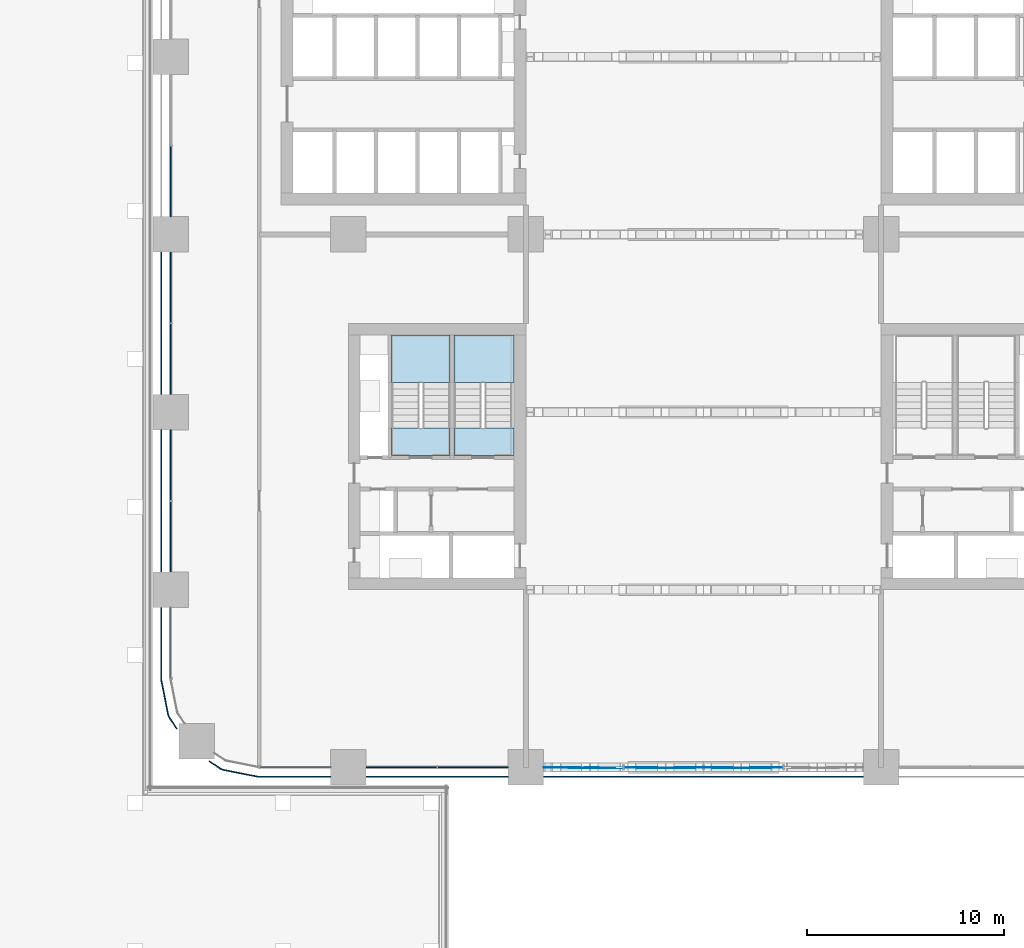
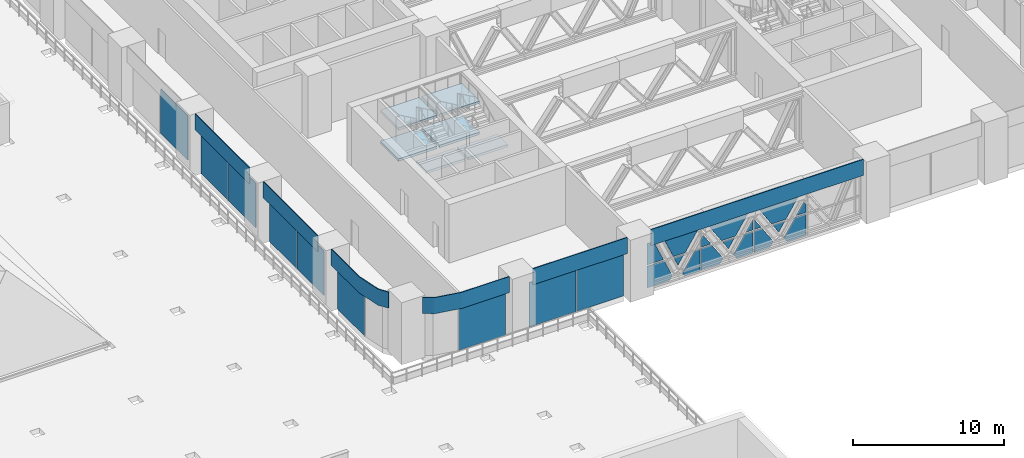
# One storey, part 13 of 35: 32 plates, 6 slabs, 9 elements without a shape of their own.
"""IFC4 building model written with IfcOpenShell, lengths in metres."""

from ifc_helpers import new_model, si_unit, direction, frame, origin, origin_2d, place, context, subcontext, project, spatial, polyline, rectangle, outline, extrude, material, layer, layer_set, type_object, element, aggregate, save


model = new_model("IFC4")

# Units and contexts
model_context = context("Model", 3, precision=1e-05, world=origin(), true_north=direction((0.0, 1.0)))
body_context = subcontext(model_context, "Body", "Model", "MODEL_VIEW")
ifc_project = project(units=[si_unit("LENGTHUNIT", "METRE"), si_unit("AREAUNIT", "SQUARE_METRE"), si_unit("VOLUMEUNIT", "CUBIC_METRE"), si_unit("PLANEANGLEUNIT", "RADIAN"), si_unit("MASSUNIT", "GRAM", prefix="KILO")], contexts=[model_context])

# Site, building, storey
site_placement = place(None, origin())
site = spatial("IfcSite", under=ifc_project, at=site_placement, CompositionType="ELEMENT")
building_placement = place(site_placement, origin())
building = spatial("IfcBuilding", under=site, at=building_placement, Name="Tessera Arch", CompositionType="ELEMENT")
storey_placement = place(building_placement, frame((0.0, 0.0, 26.0)))
storey = spatial("IfcBuildingStorey", under=building, at=storey_placement, Name="L04", CompositionType="ELEMENT", Elevation=26.0)

# Curtain wall, plates
ifc_material_1 = material(Name="CW4 curtain wall")
curtain_wall_type_1 = type_object("IfcCurtainWallType", Name="CW4 curtain wall", PredefinedType="NOTDEFINED", material=ifc_material_1)
curtain_wall_1_placement = place(storey_placement, origin())
curtain_wall_1 = element("IfcCurtainWall", 1, at=curtain_wall_1_placement, inside=storey, type_object=curtain_wall_type_1, Name="CW4 curtain wall S0.0/1 L04", PredefinedType="NOTDEFINED")
ifc_material_2 = material(Name="Clear low-e glass", Category="glass")
ifc_layer_1 = layer(ifc_material_2, 0.028076171875)
ifc_layer_set_1 = layer_set([ifc_layer_1], Name="CW4 glass panel")
plate_type_1 = type_object("IfcPlateType", Name="CW4 glass panel", PredefinedType="CURTAIN_PANEL", material=ifc_layer_set_1)
plate_1_placement = place(storey_placement, frame((18.89990234375, -0.013916015625, 0.0), z_axis=(0.0, -1.0, 0.0), x_axis=(1.0, 0.0, 0.0)))
plate_1 = element("IfcPlate", 2, at=plate_1_placement, type_object=plate_type_1, Name="CW4 fitted glass panel S0.0/1 1", PredefinedType="CURTAIN_PANEL", context=body_context, shape_type="SweptSolid", body=[
    extrude(outline(polyline([(0.0, 0.0), (1.706787109375, 0.0), (1.9150390625, 0.326171875), (1.297607421875, 1.72998046875), (0.0, 1.72998046875), (0.0, 0.0)])), origin(), (0.0, 0.0, -1.0), 0.028076171875),
])
plate_2_placement = place(storey_placement, frame((21.711181640625, -0.013916015625, 1.72998046875), z_axis=(0.0, -1.0, 0.0), x_axis=(-1.0, 0.0, 0.0)))
plate_2 = element("IfcPlate", 3, at=plate_2_placement, type_object=plate_type_1, Name="CW4 fitted glass panel S0.0/1 2", PredefinedType="CURTAIN_PANEL", context=body_context, shape_type="SweptSolid", body=[
    extrude(outline(polyline([(0.0, 0.0), (0.7783203125, 0.0), (0.4609375, 0.721923828125), (0.0, 0.0)])), origin(), (0.0, 0.0, -1.0), 0.028076171875),
])
plate_3_placement = place(storey_placement, frame((22.909912109375, -0.0419921875, 1.72998046875), z_axis=(0.0, -1.0, 0.0), x_axis=(-1.0, 0.0, 0.0)))
plate_3 = element("IfcPlate", 4, at=plate_3_placement, type_object=plate_type_1, Name="CW4 fitted glass panel S0.0/1 3", PredefinedType="CURTAIN_PANEL", context=body_context, shape_type="SweptSolid", body=[
    extrude(outline(polyline([(0.0, 0.0), (0.400146484375, 0.0), (1.333984375, 1.462646484375), (1.21630859375, 1.72998046875), (0.0, 1.72998046875), (0.0, 0.0)])), origin(), (0.0, 0.0, -1.0), 0.028076171875),
])
plate_4_placement = place(storey_placement, frame((18.89990234375, -0.013916015625, 1.85009765625), z_axis=(0.0, -1.0, 0.0), x_axis=(1.0, 0.0, 0.0)))
plate_4 = element("IfcPlate", 5, at=plate_4_placement, type_object=plate_type_1, Name="CW4 fitted glass panel S0.0/1 4", PredefinedType="CURTAIN_PANEL", context=body_context, shape_type="SweptSolid", body=[
    extrude(outline(polyline([(0.0, 0.0), (1.244873046875, 0.0), (0.484375, 1.72998046875), (0.0, 1.72998046875), (0.0, 0.0)])), origin(), (0.0, 0.0, -1.0), 0.028076171875),
])
plate_5_placement = place(storey_placement, frame((22.643798828125, -0.0419921875, 3.580078125), z_axis=(0.0, -1.0, 0.0), x_axis=(-1.0, 0.0, 0.0)))
plate_5 = element("IfcPlate", 6, at=plate_5_placement, type_object=plate_type_1, Name="CW4 fitted glass panel S0.0/1 5", PredefinedType="CURTAIN_PANEL", context=body_context, shape_type="SweptSolid", body=[
    extrude(outline(polyline([(0.0, 0.0), (2.5244140625, 0.0), (1.763671875, 1.72998046875), (0.85595703125, 1.72998046875), (-0.124267578125, 0.194580078125), (0.0, 0.0)])), origin(), (0.0, 0.0, -1.0), 0.028076171875),
])
plate_6_placement = place(storey_placement, frame((22.989990234375, -0.013916015625, 0.0), z_axis=(0.0, -1.0, 0.0), x_axis=(1.0, 0.0, 0.0)))
plate_6 = element("IfcPlate", 7, at=plate_6_placement, type_object=plate_type_1, Name="CW4 fitted glass panel S0.0/1 7", PredefinedType="CURTAIN_PANEL", context=body_context, shape_type="SweptSolid", body=[
    extrude(outline(polyline([(0.0, 0.0), (1.449462890625, 0.0), (1.6943359375, 0.383544921875), (0.834716796875, 1.72998046875), (0.0, 1.72998046875), (0.0, 0.0)])), origin(), (0.0, 0.0, -1.0), 0.028076171875),
])
plate_7_placement = place(storey_placement, frame((25.5439453125, -0.0419921875, 1.72998046875), z_axis=(0.0, -1.0, 0.0), x_axis=(-1.0, 0.0, 0.0)))
plate_7 = element("IfcPlate", 8, at=plate_7_placement, type_object=plate_type_1, Name="CW4 fitted glass panel S0.0/1 8", PredefinedType="CURTAIN_PANEL", context=body_context, shape_type="SweptSolid", body=[
    extrude(outline(polyline([(0.0, 0.0), (0.920654296875, 0.0), (0.46044921875, 0.720947265625), (0.0, 0.0)])), origin(), (0.0, 0.0, -1.0), 0.028076171875),
])
plate_8_placement = place(storey_placement, frame((26.9599609375, -0.013916015625, 1.72998046875), z_axis=(0.0, -1.0, 0.0), x_axis=(-1.0, 0.0, 0.0)))
plate_8 = element("IfcPlate", 9, at=plate_8_placement, type_object=plate_type_1, Name="CW4 fitted glass panel S0.0/1 9", PredefinedType="CURTAIN_PANEL", context=body_context, shape_type="SweptSolid", body=[
    extrude(outline(polyline([(0.0, 0.0), (0.617431640625, 0.0), (1.47705078125, 1.346435546875), (1.232177734375, 1.72998046875), (0.0, 1.72998046875), (0.0, 0.0)])), origin(), (0.0, 0.0, -1.0), 0.028076171875),
])
plate_9_placement = place(storey_placement, frame((22.989990234375, -0.013916015625, 1.85009765625), z_axis=(0.0, -1.0, 0.0), x_axis=(1.0, 0.0, 0.0)))
plate_9 = element("IfcPlate", 10, at=plate_9_placement, type_object=plate_type_1, Name="CW4 fitted glass panel S0.0/1 10", PredefinedType="CURTAIN_PANEL", context=body_context, shape_type="SweptSolid", body=[
    extrude(outline(polyline([(0.0, 0.0), (0.758056640625, 0.0), (0.17724609375, 0.909912109375), (0.0, 0.63232421875), (0.0, 0.0)])), origin(), (0.0, 0.0, -1.0), 0.028076171875),
])
plate_10_placement = place(storey_placement, frame((26.4765625, -0.0419921875, 3.580078125), z_axis=(0.0, -1.0, 0.0), x_axis=(-1.0, 0.0, 0.0)))
plate_10 = element("IfcPlate", 11, at=plate_10_placement, type_object=plate_type_1, Name="CW4 fitted glass panel S0.0/1 11", PredefinedType="CURTAIN_PANEL", context=body_context, shape_type="SweptSolid", body=[
    extrude(outline(polyline([(0.0, 0.0), (2.785888671875, 0.0), (2.91015625, 0.194580078125), (1.929931640625, 1.72998046875), (0.85595703125, 1.72998046875), (-0.124267578125, 0.194580078125), (0.0, 0.0)])), origin(), (0.0, 0.0, -1.0), 0.028076171875),
])
plate_11_placement = place(storey_placement, frame((26.9599609375, -0.013916015625, 1.85009765625), z_axis=(0.0, -1.0, 0.0), x_axis=(0.0, 0.0, 1.0)))
plate_11 = element("IfcPlate", 12, at=plate_11_placement, type_object=plate_type_1, Name="CW4 fitted glass panel S0.0/1 12", PredefinedType="CURTAIN_PANEL", context=body_context, shape_type="SweptSolid", body=[
    extrude(outline(polyline([(0.0, 0.0), (0.84716796875, 0.0), (0.0, 0.541015625), (0.0, 0.0)])), origin(), (0.0, 0.0, -1.0), 0.028076171875),
])
plate_12_placement = place(storey_placement, frame((27.0400390625, -0.013916015625, 0.0), z_axis=(0.0, -1.0, 0.0), x_axis=(1.0, 0.0, 0.0)))
plate_12 = element("IfcPlate", 13, at=plate_12_placement, type_object=plate_type_1, Name="CW4 fitted glass panel S0.0/1 13", PredefinedType="CURTAIN_PANEL", context=body_context, shape_type="SweptSolid", body=[
    extrude(outline(polyline([(0.0, 0.0), (1.232177734375, 0.0), (1.47705078125, 0.383544921875), (0.617431640625, 1.72998046875), (0.0, 1.72998046875), (0.0, 0.0)])), origin(), (0.0, 0.0, -1.0), 0.028076171875),
])
plate_13_placement = place(storey_placement, frame((29.376708984375, -0.0419921875, 1.72998046875), z_axis=(0.0, -1.0, 0.0), x_axis=(-1.0, 0.0, 0.0)))
plate_13 = element("IfcPlate", 14, at=plate_13_placement, type_object=plate_type_1, Name="CW4 fitted glass panel S0.0/1 14", PredefinedType="CURTAIN_PANEL", context=body_context, shape_type="SweptSolid", body=[
    extrude(outline(polyline([(0.0, 0.0), (0.920654296875, 0.0), (0.460205078125, 0.720947265625), (0.0, 0.0)])), origin(), (0.0, 0.0, -1.0), 0.028076171875),
])
plate_14_placement = place(storey_placement, frame((31.010009765625, -0.013916015625, 1.72998046875), z_axis=(0.0, -1.0, 0.0), x_axis=(-1.0, 0.0, 0.0)))
plate_14 = element("IfcPlate", 15, at=plate_14_placement, type_object=plate_type_1, Name="CW4 fitted glass panel S0.0/1 15", PredefinedType="CURTAIN_PANEL", context=body_context, shape_type="SweptSolid", body=[
    extrude(outline(polyline([(0.0, 0.0), (0.834716796875, 0.0), (1.6943359375, 1.346435546875), (1.449462890625, 1.72998046875), (0.0, 1.72998046875), (0.0, 0.0)])), origin(), (0.0, 0.0, -1.0), 0.028076171875),
])
plate_15_placement = place(storey_placement, frame((27.0400390625, -0.013916015625, 1.85009765625), z_axis=(0.0, -1.0, 0.0), x_axis=(1.0, 0.0, 0.0)))
plate_15 = element("IfcPlate", 16, at=plate_15_placement, type_object=plate_type_1, Name="CW4 fitted glass panel S0.0/1 16", PredefinedType="CURTAIN_PANEL", context=body_context, shape_type="SweptSolid", body=[
    extrude(outline(polyline([(0.0, 0.0), (0.541015625, 0.0), (0.0, 0.84716796875), (0.0, 0.0)])), origin(), (0.0, 0.0, -1.0), 0.028076171875),
])
plate_16_placement = place(storey_placement, frame((30.309326171875, -0.0419921875, 3.580078125), z_axis=(0.0, -1.0, 0.0), x_axis=(-1.0, 0.0, 0.0)))
plate_16 = element("IfcPlate", 17, at=plate_16_placement, type_object=plate_type_1, Name="CW4 fitted glass panel S0.0/1 17", PredefinedType="CURTAIN_PANEL", context=body_context, shape_type="SweptSolid", body=[
    extrude(outline(polyline([(0.0, 0.0), (2.785888671875, 0.0), (2.91015625, 0.194580078125), (1.929931640625, 1.72998046875), (0.85595703125, 1.72998046875), (-0.124267578125, 0.194580078125), (0.0, 0.0)])), origin(), (0.0, 0.0, -1.0), 0.028076171875),
])
plate_17_placement = place(storey_placement, frame((31.010009765625, -0.013916015625, 1.85009765625), z_axis=(0.0, -1.0, 0.0), x_axis=(0.0, 0.0, 1.0)))
plate_17 = element("IfcPlate", 18, at=plate_17_placement, type_object=plate_type_1, Name="CW4 fitted glass panel S0.0/1 18", PredefinedType="CURTAIN_PANEL", context=body_context, shape_type="SweptSolid", body=[
    extrude(outline(polyline([(0.0, 0.0), (0.63232421875, 0.0), (0.909912109375, 0.17724609375), (0.0, 0.758056640625), (0.0, 0.0)])), origin(), (0.0, 0.0, -1.0), 0.028076171875),
])
ifc_material_3 = material(Name="Pale anodised aluminium panel", Category="aluminium")
ifc_layer_2 = layer(ifc_material_3, 0.06005859375)
ifc_layer_set_2 = layer_set([ifc_layer_2], Name="CW4 spandrel panel")
plate_type_2 = type_object("IfcPlateType", Name="CW4 spandrel panel", PredefinedType="CURTAIN_PANEL", material=ifc_layer_set_2)
plate_18_placement = place(storey_placement, frame((27.0, -0.47998046875, 3.7001953125), z_axis=(0.0, 0.0, 1.0), x_axis=(1.0, 0.0, 0.0)))
plate_18 = element("IfcPlate", 19, at=plate_18_placement, type_object=plate_type_2, Name="CW4 spandrel panel S0.0/1", PredefinedType="CURTAIN_PANEL", context=body_context, shape_type="SweptSolid", body=[
    extrude(rectangle(XDim=16.199951171875, YDim=0.06005859375, at=origin_2d()), origin(), (0.0, 0.0, 1.0), 1.300048828125),
])
aggregate(curtain_wall_1, [plate_1, plate_2, plate_3, plate_4, plate_5, plate_6, plate_7, plate_8, plate_9, plate_10, plate_11, plate_12, plate_13, plate_14, plate_15, plate_16, plate_17, plate_18])

ifc_material_4 = material(Name="CW7 curtain wall")
curtain_wall_type_2 = type_object("IfcCurtainWallType", Name="CW7 curtain wall", PredefinedType="NOTDEFINED", material=ifc_material_4)
curtain_wall_2_placement = place(storey_placement, origin())
curtain_wall_2 = element("IfcCurtainWall", 20, at=curtain_wall_2_placement, inside=storey, type_object=curtain_wall_type_2, Name="CW7 curtain wall S0.0/0 L04", PredefinedType="NOTDEFINED")
ifc_material_5 = material(Name="Pale anodised aluminium panel", Category="aluminium")
ifc_layer_3 = layer(ifc_material_5, 0.06005859375)
ifc_layer_set_3 = layer_set([ifc_layer_3], Name="CW7 plant wall panel")
plate_type_3 = type_object("IfcPlateType", Name="CW7 plant wall panel", PredefinedType="CURTAIN_PANEL", material=ifc_layer_set_3)
plate_19_placement = place(storey_placement, frame((11.68505859375, 0.0, 0.0), z_axis=(0.0, 0.0, 1.0), x_axis=(1.0, 0.0, 0.0)))
plate_19 = element("IfcPlate", 21, at=plate_19_placement, type_object=plate_type_3, Name="CW7 plant wall panel S0.0/0 1.1.1", PredefinedType="CURTAIN_PANEL", context=body_context, shape_type="SweptSolid", body=[
    extrude(rectangle(XDim=3.570068359375, YDim=0.06005859375, at=origin_2d()), origin(), (0.0, 0.0, 1.0), 3.580078125),
])
plate_20_placement = place(storey_placement, frame((15.31494140625, 0.0, 0.0), z_axis=(0.0, 0.0, 1.0), x_axis=(1.0, 0.0, 0.0)))
plate_20 = element("IfcPlate", 22, at=plate_20_placement, type_object=plate_type_3, Name="CW7 plant wall panel S0.0/0 1.2.1", PredefinedType="CURTAIN_PANEL", context=body_context, shape_type="SweptSolid", body=[
    extrude(rectangle(XDim=3.570068359375, YDim=0.06005859375, at=origin_2d()), origin(), (0.0, 0.0, 1.0), 3.580078125),
])

# Curtain wall, plate
curtain_wall_3_placement = place(storey_placement, origin())
curtain_wall_3 = element("IfcCurtainWall", 23, at=curtain_wall_3_placement, inside=storey, type_object=curtain_wall_type_2, Name="CW7 curtain wall W0.0/2 L04", PredefinedType="NOTDEFINED")
plate_21_placement = place(storey_placement, frame((0.0, 29.68505859375, 0.0), z_axis=(0.0, 0.0, 1.0), x_axis=(0.0, -1.0, 0.0)))
plate_21 = element("IfcPlate", 24, at=plate_21_placement, type_object=plate_type_3, Name="CW7 plant wall panel W0.0/2 1.2.1", PredefinedType="CURTAIN_PANEL", context=body_context, shape_type="SweptSolid", body=[
    extrude(rectangle(XDim=3.570068359375, YDim=0.06005859375, at=origin_2d()), origin(), (0.0, 0.0, 1.0), 3.580078125),
])
aggregate(curtain_wall_3, [plate_21])

# Curtain wall, plates
curtain_wall_4_placement = place(storey_placement, origin())
curtain_wall_4 = element("IfcCurtainWall", 25, at=curtain_wall_4_placement, inside=storey, type_object=curtain_wall_type_2, Name="CW7 curtain wall W0.0/3 L04", PredefinedType="NOTDEFINED")
plate_22_placement = place(storey_placement, frame((0.0, 24.31494140625, 0.0), z_axis=(0.0, 0.0, 1.0), x_axis=(0.0, -1.0, 0.0)))
plate_22 = element("IfcPlate", 26, at=plate_22_placement, type_object=plate_type_3, Name="CW7 plant wall panel W0.0/3 1.1.1", PredefinedType="CURTAIN_PANEL", context=body_context, shape_type="SweptSolid", body=[
    extrude(rectangle(XDim=3.570068359375, YDim=0.06005859375, at=origin_2d()), origin(), (0.0, 0.0, 1.0), 3.580078125),
])
plate_23_placement = place(storey_placement, frame((0.0, 20.68505859375, 0.0), z_axis=(0.0, 0.0, 1.0), x_axis=(0.0, -1.0, 0.0)))
plate_23 = element("IfcPlate", 27, at=plate_23_placement, type_object=plate_type_3, Name="CW7 plant wall panel W0.0/3 1.2.1", PredefinedType="CURTAIN_PANEL", context=body_context, shape_type="SweptSolid", body=[
    extrude(rectangle(XDim=3.570068359375, YDim=0.06005859375, at=origin_2d()), origin(), (0.0, 0.0, 1.0), 3.580078125),
])

curtain_wall_5_placement = place(storey_placement, origin())
curtain_wall_5 = element("IfcCurtainWall", 28, at=curtain_wall_5_placement, inside=storey, type_object=curtain_wall_type_2, Name="CW7 curtain wall W0.0/4 L04", PredefinedType="NOTDEFINED")
plate_24_placement = place(storey_placement, frame((0.0, 15.31494140625, 0.0), z_axis=(0.0, 0.0, 1.0), x_axis=(0.0, -1.0, 0.0)))
plate_24 = element("IfcPlate", 29, at=plate_24_placement, type_object=plate_type_3, Name="CW7 plant wall panel W0.0/4 1.1.1", PredefinedType="CURTAIN_PANEL", context=body_context, shape_type="SweptSolid", body=[
    extrude(rectangle(XDim=3.570068359375, YDim=0.06005859375, at=origin_2d()), origin(), (0.0, 0.0, 1.0), 3.580078125),
])
plate_25_placement = place(storey_placement, frame((0.0, 11.68505859375, 0.0), z_axis=(0.0, 0.0, 1.0), x_axis=(0.0, -1.0, 0.0)))
plate_25 = element("IfcPlate", 30, at=plate_25_placement, type_object=plate_type_3, Name="CW7 plant wall panel W0.0/4 1.2.1", PredefinedType="CURTAIN_PANEL", context=body_context, shape_type="SweptSolid", body=[
    extrude(rectangle(XDim=3.570068359375, YDim=0.06005859375, at=origin_2d()), origin(), (0.0, 0.0, 1.0), 3.580078125),
])

# Curtain wall, plate
curtain_wall_6_placement = place(storey_placement, origin())
curtain_wall_6 = element("IfcCurtainWall", 31, at=curtain_wall_6_placement, inside=storey, type_object=curtain_wall_type_2, Name="CW7 curtain wall W0.0/5 L04", PredefinedType="NOTDEFINED")
plate_26_placement = place(storey_placement, frame((0.0, 6.31494140625, 0.0), z_axis=(0.0, 0.0, 1.0), x_axis=(0.0, -1.0, 0.0)))
plate_26 = element("IfcPlate", 32, at=plate_26_placement, type_object=plate_type_3, Name="CW7 plant wall panel W0.0/5 1.1", PredefinedType="CURTAIN_PANEL", context=body_context, shape_type="SweptSolid", body=[
    extrude(rectangle(XDim=3.570068359375, YDim=0.06005859375, at=origin_2d()), origin(), (0.0, 0.0, 1.0), 3.580078125),
])

curtain_wall_7_placement = place(storey_placement, origin())
curtain_wall_7 = element("IfcCurtainWall", 33, at=curtain_wall_7_placement, inside=storey, type_object=curtain_wall_type_2, Name="CW7 curtain wall S0.0/4 L04", PredefinedType="NOTDEFINED")
plate_27_placement = place(storey_placement, frame((6.31494140625, 0.0, 0.0), z_axis=(0.0, 0.0, 1.0), x_axis=(1.0, 0.0, 0.0)))
plate_27 = element("IfcPlate", 34, at=plate_27_placement, type_object=plate_type_3, Name="CW7 plant wall panel S0.0/4 1.1", PredefinedType="CURTAIN_PANEL", context=body_context, shape_type="SweptSolid", body=[
    extrude(rectangle(XDim=3.570068359375, YDim=0.06005859375, at=origin_2d()), origin(), (0.0, 0.0, 1.0), 3.580078125),
])

# Plate
ifc_material_6 = material(Name="Pale anodised aluminium panel", Category="aluminium")
ifc_layer_4 = layer(ifc_material_6, 0.06005859375)
ifc_layer_set_4 = layer_set([ifc_layer_4], Name="CW7 spandrel panel")
plate_type_4 = type_object("IfcPlateType", Name="CW7 spandrel panel", PredefinedType="CURTAIN_PANEL", material=ifc_layer_set_4)
plate_28_placement = place(storey_placement, frame((13.5, -0.47998046875, 3.7001953125), z_axis=(0.0, 0.0, 1.0), x_axis=(1.0, 0.0, 0.0)))
plate_28 = element("IfcPlate", 35, at=plate_28_placement, type_object=plate_type_4, Name="CW7 spandrel panel S0.0/0", PredefinedType="CURTAIN_PANEL", context=body_context, shape_type="SweptSolid", body=[
    extrude(rectangle(XDim=7.199951171875, YDim=0.06005859375, at=origin_2d()), origin(), (0.0, 0.0, 1.0), 1.300048828125),
])

aggregate(curtain_wall_2, [plate_19, plate_20, plate_28])

plate_29_placement = place(storey_placement, frame((-0.47998046875, 22.5, 3.7001953125), z_axis=(0.0, 0.0, 1.0), x_axis=(0.0, -1.0, 0.0)))
plate_29 = element("IfcPlate", 36, at=plate_29_placement, type_object=plate_type_4, Name="CW7 spandrel panel W0.0/3", PredefinedType="CURTAIN_PANEL", context=body_context, shape_type="SweptSolid", body=[
    extrude(rectangle(XDim=7.199951171875, YDim=0.06005859375, at=origin_2d()), origin(), (0.0, 0.0, 1.0), 1.300048828125),
])

aggregate(curtain_wall_4, [plate_22, plate_23, plate_29])

plate_30_placement = place(storey_placement, frame((-0.47998046875, 13.5, 3.7001953125), z_axis=(0.0, 0.0, 1.0), x_axis=(0.0, -1.0, 0.0)))
plate_30 = element("IfcPlate", 37, at=plate_30_placement, type_object=plate_type_4, Name="CW7 spandrel panel W0.0/4", PredefinedType="CURTAIN_PANEL", context=body_context, shape_type="SweptSolid", body=[
    extrude(rectangle(XDim=7.199951171875, YDim=0.06005859375, at=origin_2d()), origin(), (0.0, 0.0, 1.0), 1.300048828125),
])

aggregate(curtain_wall_5, [plate_24, plate_25, plate_30])

plate_31_placement = place(storey_placement, frame((0.0, 0.0, 3.699951171875)))
plate_31 = element("IfcPlate", 38, at=plate_31_placement, type_object=plate_type_4, Name="CW7 spandrel panel W0.0/5", PredefinedType="CURTAIN_PANEL", context=body_context, shape_type="SweptSolid", body=[
    extrude(outline(polyline([(-0.449951171875, 4.500732421875), (-0.449951171875, 8.10009765625), (-0.510009765625, 8.10009765625), (-0.510009765625, 4.499267578125), (-0.507568359375, 4.449951171875), (-0.500244140625, 4.401123046875), (-0.157470703125, 2.677734375), (-0.1455078125, 2.6298828125), (-0.128662109375, 2.582763671875), (-0.107177734375, 2.537353515625), (-0.08203125, 2.4951171875), (0.292724609375, 1.9345703125), (0.342529296875, 1.968017578125), (-0.03125, 2.52734375), (-0.05419921875, 2.565673828125), (-0.0732421875, 2.605712890625), (-0.088134765625, 2.647216796875), (-0.09912109375, 2.69091796875), (-0.441162109375, 4.411376953125), (-0.44775390625, 4.455810546875), (-0.449951171875, 4.500732421875)])), origin(), (0.0, 0.0, 1.0), 1.300048828125),
])

aggregate(curtain_wall_6, [plate_26, plate_31])

plate_32_placement = place(storey_placement, frame((0.0, 0.0, 3.699951171875)))
plate_32 = element("IfcPlate", 39, at=plate_32_placement, type_object=plate_type_4, Name="CW7 spandrel panel S0.0/4", PredefinedType="CURTAIN_PANEL", context=body_context, shape_type="SweptSolid", body=[
    extrude(outline(polyline([(2.52734375, -0.03125), (1.968017578125, 0.342529296875), (1.9345703125, 0.292724609375), (2.4951171875, -0.08203125), (2.537353515625, -0.107177734375), (2.582763671875, -0.128662109375), (2.6298828125, -0.1455078125), (2.677734375, -0.157470703125), (4.401123046875, -0.500244140625), (4.449951171875, -0.507568359375), (4.499267578125, -0.510009765625), (8.10009765625, -0.510009765625), (8.10009765625, -0.449951171875), (4.500732421875, -0.449951171875), (4.455810546875, -0.44775390625), (4.411376953125, -0.441162109375), (2.69091796875, -0.09912109375), (2.647216796875, -0.088134765625), (2.605712890625, -0.0732421875), (2.565673828125, -0.05419921875), (2.52734375, -0.03125)])), origin(), (0.0, 0.0, 1.0), 1.300048828125),
])

aggregate(curtain_wall_7, [plate_27, plate_32])

# Stair, slabs
ifc_material_7 = material(Name="Concrete C40/50", Category="concrete")
stair_type = type_object("IfcStairType", Name="Dogleg stair 1400", PredefinedType="HALF_TURN_STAIR", material=ifc_material_7)
stair_1_placement = place(storey_placement, origin())
stair_1 = element("IfcStair", 40, at=stair_1_placement, inside=storey, type_object=stair_type, Name="L04 S4a", PredefinedType="HALF_TURN_STAIR")
ifc_material_8 = material(Name="Concrete C40/50", Category="concrete")
ifc_layer_5 = layer(ifc_material_8, 0.300048828125)
ifc_layer_set_5 = layer_set([ifc_layer_5], Name="Stair landing 300")
slab_type = type_object("IfcSlabType", Name="Stair landing 300", PredefinedType="LANDING", material=ifc_layer_set_5)
slab_1_placement = place(storey_placement, frame((0.0, 0.0, 1.050048828125)))
slab_1 = element("IfcSlab", 41, at=slab_1_placement, type_object=slab_type, Name="S4a landing 1", PredefinedType="LANDING", context=body_context, shape_type="SweptSolid", body=[
    extrude(outline(polyline([(17.39990234375, 19.510009765625), (17.39990234375, 21.89990234375), (14.35009765625, 21.89990234375), (14.35009765625, 19.510009765625), (17.39990234375, 19.510009765625)])), origin(), (0.0, 0.0, 1.0), 0.199951171875),
])
slab_2_placement = place(storey_placement, frame((0.0, 0.0, 2.300048828125)))
slab_2 = element("IfcSlab", 42, at=slab_2_placement, type_object=slab_type, Name="S4a landing 2", PredefinedType="LANDING", context=body_context, shape_type="SweptSolid", body=[
    extrude(outline(polyline([(17.39990234375, 15.800048828125), (17.39990234375, 17.199951171875), (14.35009765625, 17.199951171875), (14.35009765625, 15.800048828125), (17.39990234375, 15.800048828125)])), origin(), (0.0, 0.0, 1.0), 0.199951171875),
])
slab_3_placement = place(storey_placement, frame((0.0, 0.0, 3.550048828125)))
slab_3 = element("IfcSlab", 43, at=slab_3_placement, type_object=slab_type, Name="S4a landing 3", PredefinedType="LANDING", context=body_context, shape_type="SweptSolid", body=[
    extrude(outline(polyline([(17.39990234375, 19.510009765625), (17.39990234375, 21.89990234375), (14.35009765625, 21.89990234375), (14.35009765625, 19.510009765625), (17.39990234375, 19.510009765625)])), origin(), (0.0, 0.0, 1.0), 0.199951171875),
])
aggregate(stair_1, [slab_1, slab_2, slab_3])

stair_2_placement = place(storey_placement, origin())
stair_2 = element("IfcStair", 44, at=stair_2_placement, inside=storey, type_object=stair_type, Name="L04 S4b", PredefinedType="HALF_TURN_STAIR")
slab_4_placement = place(storey_placement, frame((0.0, 0.0, 1.050048828125)))
slab_4 = element("IfcSlab", 45, at=slab_4_placement, type_object=slab_type, Name="S4b landing 1", PredefinedType="LANDING", context=body_context, shape_type="SweptSolid", body=[
    extrude(outline(polyline([(14.14990234375, 19.510009765625), (14.14990234375, 21.89990234375), (11.199951171875, 21.89990234375), (11.199951171875, 19.510009765625), (14.14990234375, 19.510009765625)])), origin(), (0.0, 0.0, 1.0), 0.199951171875),
])
slab_5_placement = place(storey_placement, frame((0.0, 0.0, 2.300048828125)))
slab_5 = element("IfcSlab", 46, at=slab_5_placement, type_object=slab_type, Name="S4b landing 2", PredefinedType="LANDING", context=body_context, shape_type="SweptSolid", body=[
    extrude(outline(polyline([(14.14990234375, 15.800048828125), (14.14990234375, 17.199951171875), (11.199951171875, 17.199951171875), (11.199951171875, 15.800048828125), (14.14990234375, 15.800048828125)])), origin(), (0.0, 0.0, 1.0), 0.199951171875),
])
slab_6_placement = place(storey_placement, frame((0.0, 0.0, 3.550048828125)))
slab_6 = element("IfcSlab", 47, at=slab_6_placement, type_object=slab_type, Name="S4b landing 3", PredefinedType="LANDING", context=body_context, shape_type="SweptSolid", body=[
    extrude(outline(polyline([(14.14990234375, 19.510009765625), (14.14990234375, 21.89990234375), (11.199951171875, 21.89990234375), (11.199951171875, 19.510009765625), (14.14990234375, 19.510009765625)])), origin(), (0.0, 0.0, 1.0), 0.199951171875),
])
aggregate(stair_2, [slab_4, slab_5, slab_6])

save(model, "model.ifc")
